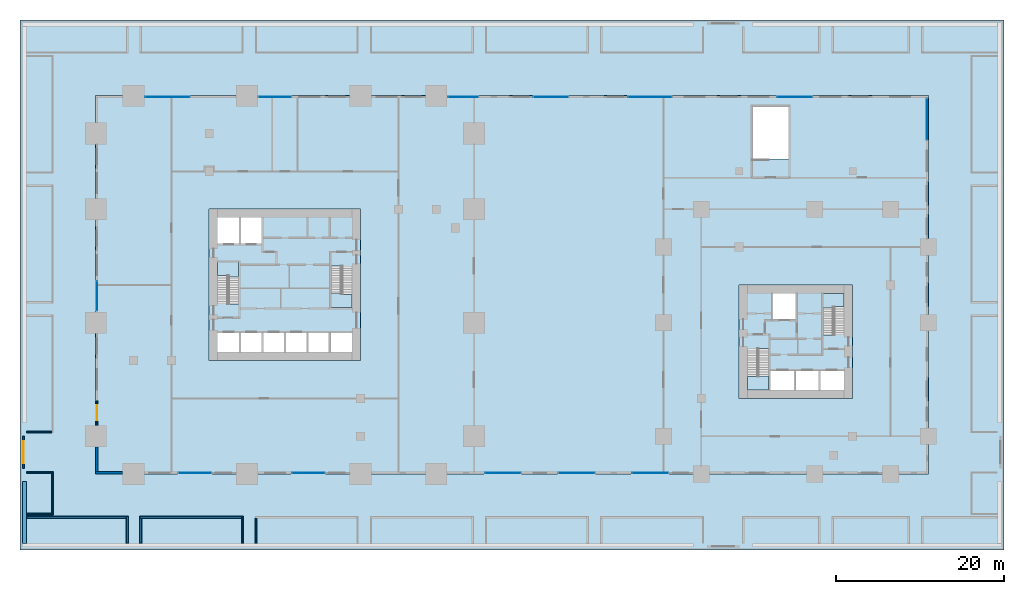
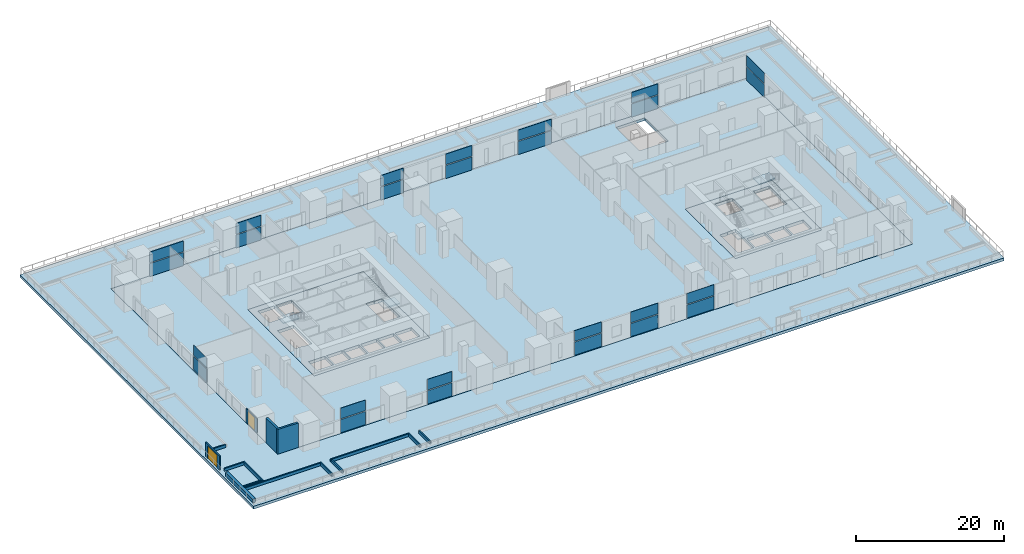
# One storey, part 13 of 26: 26 plates, 15 walls, 8 slabs, 2 doors, 2 openings, 17 elements without a shape of their own.
"""IFC4 building model written with IfcOpenShell, lengths in metres."""

from ifc_helpers import new_model, si_unit, direction, frame, frame_2d, origin, origin_2d, place, context, subcontext, project, spatial, polyline, rectangle, outline, extrude, material, layer, layer_set, type_object, element, fill, aggregate, save


model = new_model("IFC4")

# Units and contexts
model_context = context("Model", 3, precision=1e-05, world=origin(), true_north=direction((0.0, 1.0)))
body_context = subcontext(model_context, "Body", "Model", "MODEL_VIEW")
ifc_project = project(units=[si_unit("LENGTHUNIT", "METRE"), si_unit("AREAUNIT", "SQUARE_METRE"), si_unit("VOLUMEUNIT", "CUBIC_METRE"), si_unit("PLANEANGLEUNIT", "RADIAN"), si_unit("MASSUNIT", "GRAM", prefix="KILO")], contexts=[model_context])

# Site, building, storey
site_placement = place(None, origin())
site = spatial("IfcSite", under=ifc_project, at=site_placement, CompositionType="ELEMENT")
building_placement = place(site_placement, origin())
building = spatial("IfcBuilding", under=site, at=building_placement, Name="Altepetl Exchange Towers", CompositionType="ELEMENT")
storey_placement = place(building_placement, frame((0.0, 0.0, 16.5)))
storey = spatial("IfcBuildingStorey", under=building, at=storey_placement, Name="L03 Podium terrace", CompositionType="ELEMENT", Elevation=16.5)

# Slabs
ifc_material_1 = material(Name="Concrete C40/50", Category="concrete")
ifc_layer_1 = layer(ifc_material_1, 0.5)
ifc_layer_set_1 = layer_set([ifc_layer_1], Name="Concrete C40/50")
slab_type_1 = type_object("IfcSlabType", Name="Core floor slab 500", PredefinedType="FLOOR", material=ifc_layer_set_1)
slab_1_placement = place(storey_placement, frame((0.0, 0.0, -0.5)))
element("IfcSlab", 1, at=slab_1_placement, inside=storey, type_object=slab_type_1, Name="slab:A:L03:core0", PredefinedType="FLOOR", context=body_context, shape_type="SweptSolid", body=[
    extrude(outline(polyline([(40.5, 40.5), (58.5, 40.5), (58.5, 58.5), (40.5, 58.5), (40.5, 40.5)]), holes=[polyline([(41.5, 43.800048828125), (44.06689453125, 43.800048828125), (44.06689453125, 41.5), (41.5, 41.5), (41.5, 43.800048828125)]), polyline([(44.26708984375, 43.800048828125), (46.73291015625, 43.800048828125), (46.73291015625, 41.5), (44.26708984375, 41.5), (44.26708984375, 43.800048828125)]), polyline([(46.93310546875, 43.800048828125), (49.39990234375, 43.800048828125), (49.39990234375, 41.5), (46.93310546875, 41.5), (46.93310546875, 43.800048828125)]), polyline([(52.06689453125, 43.800048828125), (52.06689453125, 41.5), (49.60009765625, 41.5), (49.60009765625, 43.800048828125), (52.06689453125, 43.800048828125)]), polyline([(54.73291015625, 43.800048828125), (54.73291015625, 41.5), (52.26708984375, 41.5), (52.26708984375, 43.800048828125), (54.73291015625, 43.800048828125)]), polyline([(54.93310546875, 43.800048828125), (57.5, 43.800048828125), (57.5, 41.5), (54.93310546875, 41.5), (54.93310546875, 43.800048828125)]), polyline([(55.0, 51.7490234375), (56.300048828125, 51.7490234375), (56.300048828125, 51.64990234375), (57.5, 51.64990234375), (57.5, 46.800048828125), (55.0, 46.800048828125), (55.0, 51.7490234375)]), polyline([(44.0, 47.2509765625), (42.699951171875, 47.2509765625), (42.699951171875, 47.35009765625), (41.5, 47.35009765625), (41.5, 52.199951171875), (44.0, 52.199951171875), (44.0, 47.2509765625)]), polyline([(44.06689453125, 57.5), (44.06689453125, 54.39990234375), (41.5, 54.39990234375), (41.5, 57.5), (44.06689453125, 57.5)]), polyline([(46.73291015625, 57.5), (46.73291015625, 54.39990234375), (44.26708984375, 54.39990234375), (44.26708984375, 57.5), (46.73291015625, 57.5)])]), origin(), (0.0, 0.0, 1.0), 0.5),
])
slab_2_placement = place(storey_placement, frame((0.0, 0.0, -0.5)))
element("IfcSlab", 2, at=slab_2_placement, inside=storey, type_object=slab_type_1, Name="slab:B:L03:core0", PredefinedType="FLOOR", context=body_context, shape_type="SweptSolid", body=[
    extrude(outline(polyline([(103.5, 36.0), (117.0, 36.0), (117.0, 49.5), (103.5, 49.5), (103.5, 36.0)]), holes=[polyline([(107.199951171875, 37.0), (107.199951171875, 39.300048828125), (110.032958984375, 39.300048828125), (110.032958984375, 37.0), (107.199951171875, 37.0)]), polyline([(110.23291015625, 39.300048828125), (112.967041015625, 39.300048828125), (112.967041015625, 37.0), (110.23291015625, 37.0), (110.23291015625, 39.300048828125)]), polyline([(113.1669921875, 39.300048828125), (116.0, 39.300048828125), (116.0, 37.0), (113.1669921875, 37.0), (113.1669921875, 39.300048828125)]), polyline([(107.0, 37.0), (104.5, 37.0), (104.5, 41.85009765625), (105.699951171875, 41.85009765625), (105.699951171875, 41.948974609375), (107.0, 41.948974609375), (107.0, 37.0)]), polyline([(116.0, 48.5), (116.0, 43.64990234375), (114.800048828125, 43.64990234375), (114.800048828125, 43.551025390625), (113.5, 43.551025390625), (113.5, 48.5), (116.0, 48.5)]), polyline([(107.532958984375, 48.5), (110.26708984375, 48.5), (110.26708984375, 45.39990234375), (107.532958984375, 45.39990234375), (107.532958984375, 48.5)])]), origin(), (0.0, 0.0, 1.0), 0.5),
])

# Curtain wall, plates
ifc_material_2 = material(Name="Aluminium 6063-T6 glazing", Category="aluminium")
curtain_wall_type = type_object("IfcCurtainWallType", Name="Podium storefront system", PredefinedType="NOTDEFINED", material=ifc_material_2)
curtain_wall_1_placement = place(storey_placement, origin())
curtain_wall_1 = element("IfcCurtainWall", 3, at=curtain_wall_1_placement, inside=storey, type_object=curtain_wall_type, Name="CW5 run", PredefinedType="NOTDEFINED")
ifc_material_3 = material(Name="Glass 8-16-8 toughened", Category="glass")
ifc_layer_2 = layer(ifc_material_3, 0.031982421875)
ifc_layer_set_2 = layer_set([ifc_layer_2], Name="Glass 8-16-8 toughened")
plate_type = type_object("IfcPlateType", Name="Glass panel 32 storefront", PredefinedType="CURTAIN_PANEL", material=ifc_layer_set_2)
plate_1_placement = place(storey_placement, frame((38.8125, 27.14990234375, 0.0)))
plate_1 = element("IfcPlate", 4, at=plate_1_placement, type_object=plate_type, Name="GP4 panel", PredefinedType="CURTAIN_PANEL", context=body_context, shape_type="SweptSolid", body=[
    extrude(rectangle(XDim=3.85498046875, YDim=0.031982421875, at=origin_2d()), origin(), (0.0, 0.0, 1.0), 2.159912109375),
])
plate_2_placement = place(storey_placement, frame((38.8125, 27.14990234375, 2.300048828125)))
plate_2 = element("IfcPlate", 5, at=plate_2_placement, type_object=plate_type, Name="GP4 panel", PredefinedType="CURTAIN_PANEL", context=body_context, shape_type="SweptSolid", body=[
    extrude(rectangle(XDim=3.85498046875, YDim=0.031982421875, at=origin_2d()), origin(), (0.0, 0.0, 1.0), 1.75),
])
aggregate(curtain_wall_1, [plate_1, plate_2])

curtain_wall_2_placement = place(storey_placement, origin())
curtain_wall_2 = element("IfcCurtainWall", 6, at=curtain_wall_2_placement, inside=storey, type_object=curtain_wall_type, Name="CW5 run", PredefinedType="NOTDEFINED")
plate_3_placement = place(storey_placement, frame((52.3125, 27.14990234375, 0.0)))
plate_3 = element("IfcPlate", 7, at=plate_3_placement, type_object=plate_type, Name="GP4 panel", PredefinedType="CURTAIN_PANEL", context=body_context, shape_type="SweptSolid", body=[
    extrude(rectangle(XDim=3.85498046875, YDim=0.031982421875, at=origin_2d()), origin(), (0.0, 0.0, 1.0), 2.159912109375),
])
plate_4_placement = place(storey_placement, frame((52.3125, 27.14990234375, 2.300048828125)))
plate_4 = element("IfcPlate", 8, at=plate_4_placement, type_object=plate_type, Name="GP4 panel", PredefinedType="CURTAIN_PANEL", context=body_context, shape_type="SweptSolid", body=[
    extrude(rectangle(XDim=3.85498046875, YDim=0.031982421875, at=origin_2d()), origin(), (0.0, 0.0, 1.0), 1.75),
])
aggregate(curtain_wall_2, [plate_3, plate_4])

curtain_wall_3_placement = place(storey_placement, origin())
curtain_wall_3 = element("IfcCurtainWall", 9, at=curtain_wall_3_placement, inside=storey, type_object=curtain_wall_type, Name="CW5 run", PredefinedType="NOTDEFINED")
plate_5_placement = place(storey_placement, frame((75.425048828125, 27.14990234375, 0.0)))
plate_5 = element("IfcPlate", 10, at=plate_5_placement, type_object=plate_type, Name="GP4 panel", PredefinedType="CURTAIN_PANEL", context=body_context, shape_type="SweptSolid", body=[
    extrude(rectangle(XDim=4.263427734375, YDim=0.031982421875, at=origin_2d()), origin(), (0.0, 0.0, 1.0), 2.159912109375),
])
plate_6_placement = place(storey_placement, frame((75.425048828125, 27.14990234375, 2.300048828125)))
plate_6 = element("IfcPlate", 11, at=plate_6_placement, type_object=plate_type, Name="GP4 panel", PredefinedType="CURTAIN_PANEL", context=body_context, shape_type="SweptSolid", body=[
    extrude(rectangle(XDim=4.263427734375, YDim=0.031982421875, at=origin_2d()), origin(), (0.0, 0.0, 1.0), 1.75),
])
aggregate(curtain_wall_3, [plate_5, plate_6])

curtain_wall_4_placement = place(storey_placement, origin())
curtain_wall_4 = element("IfcCurtainWall", 12, at=curtain_wall_4_placement, inside=storey, type_object=curtain_wall_type, Name="CW5 run", PredefinedType="NOTDEFINED")
plate_7_placement = place(storey_placement, frame((84.191650390625, 27.14990234375, 0.0)))
plate_7 = element("IfcPlate", 13, at=plate_7_placement, type_object=plate_type, Name="GP4 panel", PredefinedType="CURTAIN_PANEL", context=body_context, shape_type="SweptSolid", body=[
    extrude(rectangle(XDim=4.263427734375, YDim=0.031982421875, at=origin_2d()), origin(), (0.0, 0.0, 1.0), 2.159912109375),
])
plate_8_placement = place(storey_placement, frame((84.191650390625, 27.14990234375, 2.300048828125)))
plate_8 = element("IfcPlate", 14, at=plate_8_placement, type_object=plate_type, Name="GP4 panel", PredefinedType="CURTAIN_PANEL", context=body_context, shape_type="SweptSolid", body=[
    extrude(rectangle(XDim=4.263427734375, YDim=0.031982421875, at=origin_2d()), origin(), (0.0, 0.0, 1.0), 1.75),
])
aggregate(curtain_wall_4, [plate_7, plate_8])

curtain_wall_5_placement = place(storey_placement, origin())
curtain_wall_5 = element("IfcCurtainWall", 15, at=curtain_wall_5_placement, inside=storey, type_object=curtain_wall_type, Name="CW5 run", PredefinedType="NOTDEFINED")
plate_9_placement = place(storey_placement, frame((92.958251953125, 27.14990234375, 0.0)))
plate_9 = element("IfcPlate", 16, at=plate_9_placement, type_object=plate_type, Name="GP4 panel", PredefinedType="CURTAIN_PANEL", context=body_context, shape_type="SweptSolid", body=[
    extrude(rectangle(XDim=4.263427734375, YDim=0.031982421875, at=origin_2d()), origin(), (0.0, 0.0, 1.0), 2.159912109375),
])
plate_10_placement = place(storey_placement, frame((92.958251953125, 27.14990234375, 2.300048828125)))
plate_10 = element("IfcPlate", 17, at=plate_10_placement, type_object=plate_type, Name="GP4 panel", PredefinedType="CURTAIN_PANEL", context=body_context, shape_type="SweptSolid", body=[
    extrude(rectangle(XDim=4.263427734375, YDim=0.031982421875, at=origin_2d()), origin(), (0.0, 0.0, 1.0), 1.75),
])
aggregate(curtain_wall_5, [plate_9, plate_10])

curtain_wall_6_placement = place(storey_placement, origin())
curtain_wall_6 = element("IfcCurtainWall", 18, at=curtain_wall_6_placement, inside=storey, type_object=curtain_wall_type, Name="CW5 run", PredefinedType="NOTDEFINED")
plate_11_placement = place(storey_placement, frame((125.85009765625, 69.21240234375, 0.0), z_axis=(0.0, 0.0, 1.0), x_axis=(0.0, 1.0, 0.0)))
plate_11 = element("IfcPlate", 19, at=plate_11_placement, type_object=plate_type, Name="GP4 panel", PredefinedType="CURTAIN_PANEL", context=body_context, shape_type="SweptSolid", body=[
    extrude(rectangle(XDim=4.85498046875, YDim=0.031982421875, at=origin_2d()), origin(), (0.0, 0.0, 1.0), 2.159912109375),
])
plate_12_placement = place(storey_placement, frame((125.85009765625, 69.21240234375, 2.300048828125), z_axis=(0.0, 0.0, 1.0), x_axis=(0.0, 1.0, 0.0)))
plate_12 = element("IfcPlate", 20, at=plate_12_placement, type_object=plate_type, Name="GP4 panel", PredefinedType="CURTAIN_PANEL", context=body_context, shape_type="SweptSolid", body=[
    extrude(rectangle(XDim=4.85498046875, YDim=0.031982421875, at=origin_2d()), origin(), (0.0, 0.0, 1.0), 1.75),
])
aggregate(curtain_wall_6, [plate_11, plate_12])

curtain_wall_7_placement = place(storey_placement, origin())
curtain_wall_7 = element("IfcCurtainWall", 21, at=curtain_wall_7_placement, inside=storey, type_object=curtain_wall_type, Name="CW5 run", PredefinedType="NOTDEFINED")
plate_13_placement = place(storey_placement, frame((110.10009765625, 71.85009765625, 0.0), z_axis=(0.0, 0.0, 1.0), x_axis=(-1.0, 0.0, 0.0)))
plate_13 = element("IfcPlate", 22, at=plate_13_placement, type_object=plate_type, Name="GP4 panel", PredefinedType="CURTAIN_PANEL", context=body_context, shape_type="SweptSolid", body=[
    extrude(rectangle(XDim=4.146728515625, YDim=0.031982421875, at=origin_2d()), origin(), (0.0, 0.0, 1.0), 2.159912109375),
])
plate_14_placement = place(storey_placement, frame((110.10009765625, 71.85009765625, 2.300048828125), z_axis=(0.0, 0.0, 1.0), x_axis=(-1.0, 0.0, 0.0)))
plate_14 = element("IfcPlate", 23, at=plate_14_placement, type_object=plate_type, Name="GP4 panel", PredefinedType="CURTAIN_PANEL", context=body_context, shape_type="SweptSolid", body=[
    extrude(rectangle(XDim=4.146728515625, YDim=0.031982421875, at=origin_2d()), origin(), (0.0, 0.0, 1.0), 1.75),
])
aggregate(curtain_wall_7, [plate_13, plate_14])

curtain_wall_8_placement = place(storey_placement, origin())
curtain_wall_8 = element("IfcCurtainWall", 24, at=curtain_wall_8_placement, inside=storey, type_object=curtain_wall_type, Name="CW5 run", PredefinedType="NOTDEFINED")
plate_15_placement = place(storey_placement, frame((92.91259765625, 71.85009765625, 0.0), z_axis=(0.0, 0.0, 1.0), x_axis=(-1.0, 0.0, 0.0)))
plate_15 = element("IfcPlate", 25, at=plate_15_placement, type_object=plate_type, Name="GP4 panel", PredefinedType="CURTAIN_PANEL", context=body_context, shape_type="SweptSolid", body=[
    extrude(rectangle(XDim=5.205078125, YDim=0.031982421875, at=origin_2d()), origin(), (0.0, 0.0, 1.0), 2.159912109375),
])
plate_16_placement = place(storey_placement, frame((92.91259765625, 71.85009765625, 2.300048828125), z_axis=(0.0, 0.0, 1.0), x_axis=(-1.0, 0.0, 0.0)))
plate_16 = element("IfcPlate", 26, at=plate_16_placement, type_object=plate_type, Name="GP4 panel", PredefinedType="CURTAIN_PANEL", context=body_context, shape_type="SweptSolid", body=[
    extrude(rectangle(XDim=5.205078125, YDim=0.031982421875, at=origin_2d()), origin(), (0.0, 0.0, 1.0), 1.75),
])
aggregate(curtain_wall_8, [plate_15, plate_16])

curtain_wall_9_placement = place(storey_placement, origin())
curtain_wall_9 = element("IfcCurtainWall", 27, at=curtain_wall_9_placement, inside=storey, type_object=curtain_wall_type, Name="CW5 run", PredefinedType="NOTDEFINED")
plate_17_placement = place(storey_placement, frame((81.112548828125, 71.85009765625, 0.0), z_axis=(0.0, 0.0, 1.0), x_axis=(-1.0, 0.0, 0.0)))
plate_17 = element("IfcPlate", 28, at=plate_17_placement, type_object=plate_type, Name="GP4 panel", PredefinedType="CURTAIN_PANEL", context=body_context, shape_type="SweptSolid", body=[
    extrude(rectangle(XDim=4.10498046875, YDim=0.031982421875, at=origin_2d()), origin(), (0.0, 0.0, 1.0), 2.159912109375),
])
plate_18_placement = place(storey_placement, frame((81.112548828125, 71.85009765625, 2.300048828125), z_axis=(0.0, 0.0, 1.0), x_axis=(-1.0, 0.0, 0.0)))
plate_18 = element("IfcPlate", 29, at=plate_18_placement, type_object=plate_type, Name="GP4 panel", PredefinedType="CURTAIN_PANEL", context=body_context, shape_type="SweptSolid", body=[
    extrude(rectangle(XDim=4.10498046875, YDim=0.031982421875, at=origin_2d()), origin(), (0.0, 0.0, 1.0), 1.75),
])
aggregate(curtain_wall_9, [plate_17, plate_18])

curtain_wall_10_placement = place(storey_placement, origin())
curtain_wall_10 = element("IfcCurtainWall", 30, at=curtain_wall_10_placement, inside=storey, type_object=curtain_wall_type, Name="CW5 run", PredefinedType="NOTDEFINED")
plate_19_placement = place(storey_placement, frame((70.6875, 71.85009765625, 0.0), z_axis=(0.0, 0.0, 1.0), x_axis=(-1.0, 0.0, 0.0)))
plate_19 = element("IfcPlate", 31, at=plate_19_placement, type_object=plate_type, Name="GP4 panel", PredefinedType="CURTAIN_PANEL", context=body_context, shape_type="SweptSolid", body=[
    extrude(rectangle(XDim=3.554931640625, YDim=0.031982421875, at=origin_2d()), origin(), (0.0, 0.0, 1.0), 2.159912109375),
])
plate_20_placement = place(storey_placement, frame((70.6875, 71.85009765625, 2.300048828125), z_axis=(0.0, 0.0, 1.0), x_axis=(-1.0, 0.0, 0.0)))
plate_20 = element("IfcPlate", 32, at=plate_20_placement, type_object=plate_type, Name="GP4 panel", PredefinedType="CURTAIN_PANEL", context=body_context, shape_type="SweptSolid", body=[
    extrude(rectangle(XDim=3.554931640625, YDim=0.031982421875, at=origin_2d()), origin(), (0.0, 0.0, 1.0), 1.75),
])
aggregate(curtain_wall_10, [plate_19, plate_20])

curtain_wall_11_placement = place(storey_placement, origin())
curtain_wall_11 = element("IfcCurtainWall", 33, at=curtain_wall_11_placement, inside=storey, type_object=curtain_wall_type, Name="CW5 run", PredefinedType="NOTDEFINED")
plate_21_placement = place(storey_placement, frame((48.33740234375, 71.85009765625, 0.0), z_axis=(0.0, 0.0, 1.0), x_axis=(-1.0, 0.0, 0.0)))
plate_21 = element("IfcPlate", 34, at=plate_21_placement, type_object=plate_type, Name="GP4 panel", PredefinedType="CURTAIN_PANEL", context=body_context, shape_type="SweptSolid", body=[
    extrude(rectangle(XDim=3.85498046875, YDim=0.031982421875, at=origin_2d()), origin(), (0.0, 0.0, 1.0), 2.159912109375),
])
plate_22_placement = place(storey_placement, frame((48.33740234375, 71.85009765625, 2.300048828125), z_axis=(0.0, 0.0, 1.0), x_axis=(-1.0, 0.0, 0.0)))
plate_22 = element("IfcPlate", 35, at=plate_22_placement, type_object=plate_type, Name="GP4 panel", PredefinedType="CURTAIN_PANEL", context=body_context, shape_type="SweptSolid", body=[
    extrude(rectangle(XDim=3.85498046875, YDim=0.031982421875, at=origin_2d()), origin(), (0.0, 0.0, 1.0), 1.75),
])
aggregate(curtain_wall_11, [plate_21, plate_22])

curtain_wall_12_placement = place(storey_placement, origin())
curtain_wall_12 = element("IfcCurtainWall", 36, at=curtain_wall_12_placement, inside=storey, type_object=curtain_wall_type, Name="CW5 run", PredefinedType="NOTDEFINED")
plate_23_placement = place(storey_placement, frame((35.550048828125, 71.85009765625, 0.0), z_axis=(0.0, 0.0, 1.0), x_axis=(-1.0, 0.0, 0.0)))
plate_23 = element("IfcPlate", 37, at=plate_23_placement, type_object=plate_type, Name="GP4 panel", PredefinedType="CURTAIN_PANEL", context=body_context, shape_type="SweptSolid", body=[
    extrude(rectangle(XDim=5.280029296875, YDim=0.031982421875, at=origin_2d()), origin(), (0.0, 0.0, 1.0), 2.159912109375),
])
plate_24_placement = place(storey_placement, frame((35.550048828125, 71.85009765625, 2.300048828125), z_axis=(0.0, 0.0, 1.0), x_axis=(-1.0, 0.0, 0.0)))
plate_24 = element("IfcPlate", 38, at=plate_24_placement, type_object=plate_type, Name="GP4 panel", PredefinedType="CURTAIN_PANEL", context=body_context, shape_type="SweptSolid", body=[
    extrude(rectangle(XDim=5.280029296875, YDim=0.031982421875, at=origin_2d()), origin(), (0.0, 0.0, 1.0), 1.75),
])
aggregate(curtain_wall_12, [plate_23, plate_24])

curtain_wall_13_placement = place(storey_placement, origin())
curtain_wall_13 = element("IfcCurtainWall", 39, at=curtain_wall_13_placement, inside=storey, type_object=curtain_wall_type, Name="CW5 run", PredefinedType="NOTDEFINED")
plate_25_placement = place(storey_placement, frame((27.14990234375, 48.175048828125, 0.0), z_axis=(0.0, 0.0, 1.0), x_axis=(0.0, -1.0, 0.0)))
plate_25 = element("IfcPlate", 40, at=plate_25_placement, type_object=plate_type, Name="GP4 panel", PredefinedType="CURTAIN_PANEL", context=body_context, shape_type="SweptSolid", body=[
    extrude(rectangle(XDim=3.530029296875, YDim=0.031982421875, at=origin_2d()), origin(), (0.0, 0.0, 1.0), 2.159912109375),
])
plate_26_placement = place(storey_placement, frame((27.14990234375, 48.175048828125, 2.300048828125), z_axis=(0.0, 0.0, 1.0), x_axis=(0.0, -1.0, 0.0)))
plate_26 = element("IfcPlate", 41, at=plate_26_placement, type_object=plate_type, Name="GP4 panel", PredefinedType="CURTAIN_PANEL", context=body_context, shape_type="SweptSolid", body=[
    extrude(rectangle(XDim=3.530029296875, YDim=0.031982421875, at=origin_2d()), origin(), (0.0, 0.0, 1.0), 1.75),
])
aggregate(curtain_wall_13, [plate_25, plate_26])

# Slabs
ifc_layer_3 = layer(ifc_material_1, 0.449951171875)
ifc_layer_set_3 = layer_set([ifc_layer_3], Name="Concrete C40/50")
slab_type_2 = type_object("IfcSlabType", Name="Green roof slab 450", PredefinedType="ROOF", material=ifc_layer_set_3)
slab_3_placement = place(storey_placement, frame((0.0, 0.0, -0.449951171875)))
element("IfcSlab", 42, at=slab_3_placement, inside=storey, type_object=slab_type_2, Name="slab:P:L03:terrace0", PredefinedType="ROOF", context=body_context, shape_type="SweptSolid", body=[
    extrude(outline(polyline([(18.0, 18.0), (135.0, 18.0), (135.0, 81.0), (18.0, 81.0), (18.0, 18.0)]), holes=[polyline([(126.0, 72.0), (126.0, 27.0), (27.0, 27.0), (27.0, 72.0), (126.0, 72.0)])]), origin(), (0.0, 0.0, 1.0), 0.449951171875),
])
ifc_layer_4 = layer(ifc_material_1, 0.449951171875)
ifc_layer_set_4 = layer_set([ifc_layer_4], Name="Concrete C40/50")
slab_type_3 = type_object("IfcSlabType", Name="Podium flat slab 450", PredefinedType="FLOOR", material=ifc_layer_set_4)
slab_4_placement = place(storey_placement, frame((0.0, 0.0, -0.449951171875)))
element("IfcSlab", 43, at=slab_4_placement, inside=storey, type_object=slab_type_3, Name="slab:P:L03:flat0", PredefinedType="FLOOR", context=body_context, shape_type="SweptSolid", body=[
    extrude(outline(polyline([(27.0, 72.0), (27.0, 27.0), (126.0, 27.0), (126.0, 72.0), (27.0, 72.0)]), holes=[polyline([(117.0, 49.5), (117.0, 36.0), (103.5, 36.0), (103.5, 49.5), (117.0, 49.5)]), polyline([(58.5, 58.5), (58.5, 40.5), (40.5, 40.5), (40.5, 58.5), (58.5, 58.5)]), polyline([(105.0, 64.449951171875), (105.0, 70.800048828125), (109.5, 70.800048828125), (109.5, 64.449951171875), (105.0, 64.449951171875)])]), origin(), (0.0, 0.0, 1.0), 0.449951171875),
])

# Stair, slab
stair_type = type_object("IfcStairType", Name="Exit stair 1200 flights dogleg", PredefinedType="HALF_TURN_STAIR", material=ifc_material_1)
stair_1_placement = place(storey_placement, origin())
stair_1 = element("IfcStair", 44, at=stair_1_placement, inside=storey, type_object=stair_type, Name="Exit stair 1", PredefinedType="HALF_TURN_STAIR")
ifc_layer_5 = layer(ifc_material_1, 0.199951171875)
ifc_layer_set_5 = layer_set([ifc_layer_5], Name="Concrete C40/50")
slab_type_4 = type_object("IfcSlabType", Name="Stair landing 200 reinforced concrete", PredefinedType="LANDING", material=ifc_layer_set_5)
slab_5_placement = place(storey_placement, frame((0.0, 0.0, 2.050048828125)))
slab_5 = element("IfcSlab", 45, at=slab_5_placement, type_object=slab_type_4, Name="ST-A1a landing 1", PredefinedType="LANDING", context=body_context, shape_type="SweptSolid", body=[
    extrude(outline(polyline([(44.0, 50.510009765625), (42.800048828125, 50.510009765625), (42.800048828125, 50.610107421875), (42.699951171875, 50.610107421875), (42.699951171875, 50.609375), (41.5, 50.609375), (41.5, 50.610107421875), (41.5, 52.199951171875), (44.0, 52.199951171875), (44.0, 50.610107421875), (44.0, 50.510009765625)])), origin(), (0.0, 0.0, 1.0), 0.199951171875),
])
aggregate(stair_1, [slab_5])

stair_2_placement = place(storey_placement, origin())
stair_2 = element("IfcStair", 46, at=stair_2_placement, inside=storey, type_object=stair_type, Name="Exit stair 2", PredefinedType="HALF_TURN_STAIR")
slab_6_placement = place(storey_placement, frame((0.0, 0.0, 2.050048828125)))
slab_6 = element("IfcSlab", 47, at=slab_6_placement, type_object=slab_type_4, Name="ST-A2a landing 1", PredefinedType="LANDING", context=body_context, shape_type="SweptSolid", body=[
    extrude(outline(polyline([(57.5, 46.800048828125), (55.0, 46.800048828125), (55.0, 48.389892578125), (55.0, 48.489990234375), (56.199951171875, 48.489990234375), (56.199951171875, 48.389892578125), (56.300048828125, 48.389892578125), (56.300048828125, 48.390625), (57.5, 48.390625), (57.5, 48.389892578125), (57.5, 46.800048828125)])), origin(), (0.0, 0.0, 1.0), 0.199951171875),
])
aggregate(stair_2, [slab_6])

stair_3_placement = place(storey_placement, origin())
stair_3 = element("IfcStair", 48, at=stair_3_placement, inside=storey, type_object=stair_type, Name="Exit stair 1", PredefinedType="HALF_TURN_STAIR")
slab_7_placement = place(storey_placement, frame((0.0, 0.0, 2.050048828125)))
slab_7 = element("IfcSlab", 49, at=slab_7_placement, type_object=slab_type_4, Name="ST-B1a landing 1", PredefinedType="LANDING", context=body_context, shape_type="SweptSolid", body=[
    extrude(outline(polyline([(107.0, 37.0), (104.5, 37.0), (104.5, 38.590087890625), (104.5, 38.5908203125), (105.699951171875, 38.5908203125), (105.699951171875, 38.590087890625), (105.800048828125, 38.590087890625), (105.800048828125, 38.68994140625), (107.0, 38.68994140625), (107.0, 38.590087890625), (107.0, 37.0)])), origin(), (0.0, 0.0, 1.0), 0.199951171875),
])
aggregate(stair_3, [slab_7])

stair_4_placement = place(storey_placement, origin())
stair_4 = element("IfcStair", 50, at=stair_4_placement, inside=storey, type_object=stair_type, Name="Exit stair 2", PredefinedType="HALF_TURN_STAIR")
slab_8_placement = place(storey_placement, frame((0.0, 0.0, 2.050048828125)))
slab_8 = element("IfcSlab", 51, at=slab_8_placement, type_object=slab_type_4, Name="ST-B2a landing 1", PredefinedType="LANDING", context=body_context, shape_type="SweptSolid", body=[
    extrude(outline(polyline([(114.699951171875, 46.81005859375), (113.5, 46.81005859375), (113.5, 46.909912109375), (113.5, 48.5), (116.0, 48.5), (116.0, 46.909912109375), (116.0, 46.9091796875), (114.800048828125, 46.9091796875), (114.800048828125, 46.909912109375), (114.699951171875, 46.909912109375), (114.699951171875, 46.81005859375)])), origin(), (0.0, 0.0, 1.0), 0.199951171875),
])
aggregate(stair_4, [slab_8])

# Wall, opening, door
ifc_material_4 = material(Name="Reinforced concrete C35/45", Category="concrete")
ifc_layer_6 = layer(ifc_material_4, 0.199951171875)
ifc_layer_set_6 = layer_set([ifc_layer_6], Name="Reinforced concrete C35/45")
wall_type_1 = type_object("IfcWallType", Name="Garden gate screen wall 200", PredefinedType="SOLIDWALL", material=ifc_layer_set_6)
wall_1_placement = place(storey_placement, frame((18.39990234375, 27.699951171875, 0.0), z_axis=(0.0, 0.0, 1.0), x_axis=(0.0, 1.0, 0.0)))
wall_1 = element("IfcWall", 52, at=wall_1_placement, inside=storey, type_object=wall_type_1, Name="wall:P:L03:gateR5", PredefinedType="SOLIDWALL", context=body_context, shape_type="SweptSolid", body=[
    extrude(rectangle(XDim=3.800048828125, YDim=0.199951171875, at=frame_2d((1.89990234375, 0.0))), origin(), (0.0, 0.0, 1.0), 2.300048828125),
])
opening_1_placement = place(wall_1_placement, frame((0.60009765625, 0.0, 0.0)))
opening_1 = element("IfcOpeningElement", 53, at=opening_1_placement, cuts=wall_1, Name="Opening L03.P024", PredefinedType="OPENING", context=body_context, shape_type="SweptSolid", body=[
    extrude(rectangle(XDim=2.60009765625, YDim=2.10009765625, at=frame_2d((1.300048828125, 1.050048828125))), frame((0.0, 0.10986328125, 0.0), z_axis=(0.0, -1.0, 0.0), x_axis=(1.0, 0.0, 0.0)), (0.0, 0.0, 1.0), 0.219970703125),
])
ifc_material_5 = material(Name="Painted steel bars and timber", Category="steel")
door_type_1 = type_object("IfcDoorType", Name="Garden gate 2600 x 2100 double leaf", OperationType="DOUBLE_DOOR_SINGLE_SWING", PredefinedType="GATE", material=ifc_material_5)
door_1_placement = place(opening_1_placement, origin())
door_1 = element("IfcDoor", 54, at=door_1_placement, inside=storey, type_object=door_type_1, Name="door:P:L03:024", OperationType="DOUBLE_DOOR_SINGLE_SWING", OverallHeight=2.10009765625, OverallWidth=2.60009765625, PredefinedType="GATE", context=body_context, shape_type="SweptSolid", body=[
    extrude(rectangle(XDim=2.60009765625, YDim=2.10009765625, at=frame_2d((1.300048828125, 1.050048828125))), frame((0.0, 0.02490234375, 0.0), z_axis=(0.0, -1.0, 0.0), x_axis=(1.0, 0.0, 0.0)), (0.0, 0.0, 1.0), 0.050048828125),
])
fill(opening_1, door_1)

ifc_material_6 = material(Name="Aluminium composite cladding", Category="aluminium")
ifc_layer_7 = layer(ifc_material_6, 0.14990234375)
ifc_layer_set_7 = layer_set([ifc_layer_7], Name="Aluminium composite cladding")
wall_type_2 = type_object("IfcWallType", Name="Infill wall 150 aluminium panel", PredefinedType="SOLIDWALL", material=ifc_layer_set_7)
wall_2_placement = place(storey_placement, frame((27.14990234375, 35.699951171875, 0.0), z_axis=(0.0, 0.0, 1.0), x_axis=(0.0, -1.0, 0.0)))
wall_2 = element("IfcWall", 55, at=wall_2_placement, inside=storey, type_object=wall_type_2, Name="Door bay wall", PredefinedType="SOLIDWALL", context=body_context, shape_type="SweptSolid", body=[
    extrude(rectangle(XDim=2.89990234375, YDim=0.14990234375, at=frame_2d((1.449951171875, 0.0))), origin(), (0.0, 0.0, 1.0), 2.25),
])
opening_2_placement = place(wall_2_placement, frame((0.5, 0.0, 0.0)))
opening_2 = element("IfcOpeningElement", 56, at=opening_2_placement, cuts=wall_2, Name="Opening L03.E04", PredefinedType="OPENING", context=body_context, shape_type="SweptSolid", body=[
    extrude(rectangle(XDim=1.800048828125, YDim=2.10009765625, at=frame_2d((0.89990234375, 1.050048828125))), frame((0.0, 0.0849609375, 0.0), z_axis=(0.0, -1.0, 0.0), x_axis=(1.0, 0.0, 0.0)), (0.0, 0.0, 1.0), 0.169921875),
])
ifc_material_7 = material(Name="Aluminium 6063-T6 and glass", Category="aluminium")
door_type_2 = type_object("IfcDoorType", Name="Glazed door pair 1800x2100", OperationType="DOUBLE_DOOR_DOUBLE_SWING", PredefinedType="NOTDEFINED", material=ifc_material_7)
door_2_placement = place(opening_2_placement, frame((1.800048828125, 0.0, 0.0), x_axis=(-1.0, 0.0, 0.0)))
door_2 = element("IfcDoor", 57, at=door_2_placement, inside=storey, type_object=door_type_2, Name="Terrace door", OperationType="DOUBLE_DOOR_DOUBLE_SWING", OverallHeight=2.10009765625, OverallWidth=1.800048828125, PredefinedType="NOTDEFINED", context=body_context, shape_type="SweptSolid", body=[
    extrude(rectangle(XDim=1.800048828125, YDim=2.10009765625, at=frame_2d((0.89990234375, 1.050048828125))), frame((0.0, 0.02490234375, 0.0), z_axis=(0.0, -1.0, 0.0), x_axis=(1.0, 0.0, 0.0)), (0.0, 0.0, 1.0), 0.050048828125),
])
fill(opening_2, door_2)

# Walls
ifc_material_8 = material(Name="Concrete C30/37", Category="concrete")
ifc_layer_8 = layer(ifc_material_8, 0.449951171875)
ifc_layer_set_8 = layer_set([ifc_layer_8], Name="Concrete C30/37")
wall_type_3 = type_object("IfcWallType", Name="Planter wall 450 concrete", PredefinedType="SOLIDWALL", material=ifc_layer_set_8)
wall_3_placement = place(storey_placement, frame((18.550048828125, 26.107421875, 0.0), z_axis=(0.0, 0.0, 1.0), x_axis=(0.0, -1.0, 0.0)))
element("IfcWall", 58, at=wall_3_placement, inside=storey, type_object=wall_type_3, Name="Planter bed wall", PredefinedType="SOLIDWALL", context=body_context, shape_type="SweptSolid", body=[
    extrude(rectangle(XDim=7.33251953125, YDim=0.449951171875, at=frame_2d((3.666259765625, 0.0))), origin(), (0.0, 0.0, 1.0), 0.60009765625),
])
ifc_layer_9 = layer(ifc_material_4, 0.199951171875)
ifc_layer_set_9 = layer_set([ifc_layer_9], Name="Reinforced concrete C35/45")
wall_type_4 = type_object("IfcWallType", Name="Planting bed curb 200", PredefinedType="SOLIDWALL", material=ifc_layer_set_9)
wall_4_placement = place(storey_placement, frame((30.762451171875, 18.77490234375, 0.0), z_axis=(0.0, 0.0, 1.0), x_axis=(0.0, 1.0, 0.0)))
element("IfcWall", 59, at=wall_4_placement, inside=storey, type_object=wall_type_4, Name="wall:P:L03:CB04e", PredefinedType="SOLIDWALL", context=body_context, shape_type="SweptSolid", body=[
    extrude(rectangle(XDim=3.2001953125, YDim=0.199951171875, at=frame_2d((1.60009765625, 0.0))), origin(), (0.0, 0.0, 1.0), 0.449951171875),
])
wall_5_placement = place(storey_placement, frame((18.77490234375, 21.875, 0.0)))
element("IfcWall", 60, at=wall_5_placement, inside=storey, type_object=wall_type_4, Name="wall:P:L03:CB04n", PredefinedType="SOLIDWALL", context=body_context, shape_type="SweptSolid", body=[
    extrude(rectangle(XDim=11.8876953125, YDim=0.199951171875, at=frame_2d((5.94384765625, 0.0))), origin(), (0.0, 0.0, 1.0), 0.449951171875),
])
wall_6_placement = place(storey_placement, frame((44.449951171875, 18.77490234375, 0.0), z_axis=(0.0, 0.0, 1.0), x_axis=(0.0, 1.0, 0.0)))
element("IfcWall", 61, at=wall_6_placement, inside=storey, type_object=wall_type_4, Name="wall:P:L03:CB05e", PredefinedType="SOLIDWALL", context=body_context, shape_type="SweptSolid", body=[
    extrude(rectangle(XDim=3.2001953125, YDim=0.199951171875, at=frame_2d((1.60009765625, 0.0))), origin(), (0.0, 0.0, 1.0), 0.449951171875),
])
wall_7_placement = place(storey_placement, frame((32.262451171875, 21.875, 0.0)))
element("IfcWall", 62, at=wall_7_placement, inside=storey, type_object=wall_type_4, Name="wall:P:L03:CB05n", PredefinedType="SOLIDWALL", context=body_context, shape_type="SweptSolid", body=[
    extrude(rectangle(XDim=12.087646484375, YDim=0.199951171875, at=frame_2d((6.0439453125, 0.0))), origin(), (0.0, 0.0, 1.0), 0.449951171875),
])
for number, where, z_axis, x_axis, name in (
    (63, (32.362548828125, 18.77490234375, 0.0), (0.0, 0.0, 1.0), (0.0, 1.0, 0.0), "wall:P:L03:CB05w"),
    (64, (46.050048828125, 18.77490234375, 0.0), (0.0, 0.0, 1.0), (0.0, 1.0, 0.0), "wall:P:L03:CB06w"),
):
    element("IfcWall", number, at=place(storey_placement, frame(where, z_axis=z_axis, x_axis=x_axis)), inside=storey, type_object=wall_type_4, Name=name, PredefinedType="SOLIDWALL", context=body_context, shape_type="SweptSolid", body=[
        extrude(rectangle(XDim=3.0, YDim=0.199951171875, at=frame_2d((1.5, 0.0))), origin(), (0.0, 0.0, 1.0), 0.449951171875),
    ])
wall_8_placement = place(storey_placement, frame((21.875, 22.175048828125, 0.0), z_axis=(0.0, 0.0, 1.0), x_axis=(0.0, 1.0, 0.0)))
element("IfcWall", 65, at=wall_8_placement, inside=storey, type_object=wall_type_4, Name="wall:P:L03:CB19e", PredefinedType="SOLIDWALL", context=body_context, shape_type="SweptSolid", body=[
    extrude(rectangle(XDim=5.125, YDim=0.199951171875, at=frame_2d((2.5625, 0.0))), origin(), (0.0, 0.0, 1.0), 0.449951171875),
])
for number, where, name in (
    (66, (18.77490234375, 27.199951171875, 0.0), "wall:P:L03:CB19n"),
    (67, (18.77490234375, 22.27490234375, 0.0), "wall:P:L03:CB19s"),
    (68, (18.77490234375, 32.0, 0.0), "wall:P:L03:CB20s"),
):
    element("IfcWall", number, at=place(storey_placement, frame(where)), inside=storey, type_object=wall_type_4, Name=name, PredefinedType="SOLIDWALL", context=body_context, shape_type="SweptSolid", body=[
        extrude(rectangle(XDim=3.0, YDim=0.199951171875, at=frame_2d((1.5, 0.0))), origin(), (0.0, 0.0, 1.0), 0.449951171875),
    ])
ifc_material_9 = material(Name="Cantera limestone cladding", Category="masonry")
ifc_layer_10 = layer(ifc_material_9, 0.300048828125)
ifc_layer_set_10 = layer_set([ifc_layer_10], Name="Cantera limestone cladding")
wall_type_5 = type_object("IfcWallType", Name="Stone wall panel 300", PredefinedType="ELEMENTEDWALL", material=ifc_layer_set_10)
wall_9_placement = place(storey_placement, frame((27.0, 27.14990234375, 0.0)))
element("IfcWall", 69, at=wall_9_placement, inside=storey, type_object=wall_type_5, Name="Stone wall panel", PredefinedType="ELEMENTEDWALL", context=body_context, shape_type="SweptSolid", body=[
    extrude(rectangle(XDim=3.199951171875, YDim=0.300048828125, at=frame_2d((1.60009765625, 0.0))), origin(), (0.0, 0.0, 1.0), 4.050048828125),
])
wall_10_placement = place(storey_placement, frame((27.14990234375, 30.199951171875, 0.0), z_axis=(0.0, 0.0, 1.0), x_axis=(0.0, -1.0, 0.0)))
element("IfcWall", 70, at=wall_10_placement, inside=storey, type_object=wall_type_5, Name="Stone wall panel", PredefinedType="ELEMENTEDWALL", context=body_context, shape_type="SweptSolid", body=[
    extrude(rectangle(XDim=2.89990234375, YDim=0.300048828125, at=frame_2d((1.449951171875, 0.0))), origin(), (0.0, 0.0, 1.0), 4.050048828125),
])

save(model, "model.ifc")
